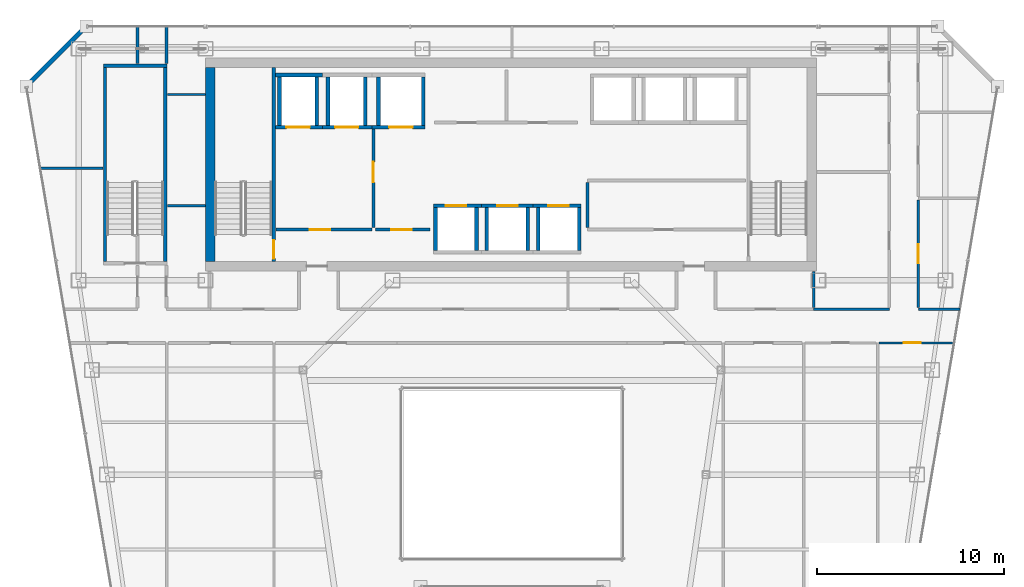
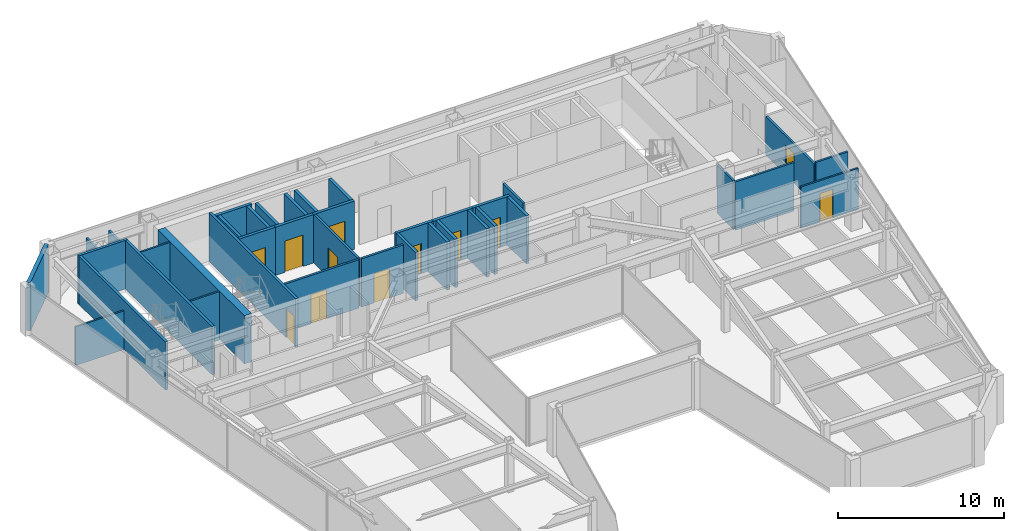
# One storey, part 31 of 36: 39 walls, 12 doors, 12 openings.
"""IFC4 building model written with IfcOpenShell, lengths in metres."""

import ifcopenshell
import ifcopenshell.guid

model = None  # the IFC model being written
_history = None  # IfcOwnerHistory: only IFC2X3 demands one
_inside = {}  # id of a spatial element -> (the spatial element, [elements in it])
_under = {}  # id of a project, library or spatial element -> (it, [spatial elements below it])
_declared = {}  # id of a project -> (the project, [libraries it declares])
_typed = {}  # id of a type object -> (the type object, [elements of that type])
_made_of = {}  # id of a material, layer set ... -> (it, [elements and type objects made of it])


def new_model(schema):
    """Start an empty IFC model of exactly this schema.

    Asked for "IFC4X3", IfcOpenShell would pick the latest addendum, in which some entities
    have other attributes; the version numbers below select the first issue.
    IFC2X3 requires an IfcOwnerHistory on every rooted entity: one is made here for all.
    """
    global model, _history
    if schema == "IFC4X3":
        model = ifcopenshell.file(schema_version=(4, 3, 0, 0))
    else:
        model = ifcopenshell.file(schema=schema)
    _inside.clear()
    _under.clear()
    _declared.clear()
    _typed.clear()
    _made_of.clear()
    _history = None
    if model.schema == "IFC2X3":
        org = make("IfcOrganization", Name="unknown")
        user = make(
            "IfcPersonAndOrganization",
            ThePerson=make("IfcPerson", FamilyName="unknown"),
            TheOrganization=org,
        )
        app = make(
            "IfcApplication",
            ApplicationDeveloper=org,
            Version="unknown",
            ApplicationFullName="unknown",
            ApplicationIdentifier="unknown",
        )
        _history = make(
            "IfcOwnerHistory",
            OwningUser=user,
            OwningApplication=app,
            ChangeAction="ADDED",
            CreationDate=0,
        )
    return model


def make(cls, **values):
    """One entity of the class cls with the attributes given. An attribute that is None is left unset."""
    return model.create_entity(
        cls, **{name: value for name, value in values.items() if value is not None}
    )


def rooted(cls, **values):
    """An entity with a GlobalId (a new one), such as an element, a storey or a relation."""
    return make(cls, GlobalId=ifcopenshell.guid.new(), OwnerHistory=_history, **values)


def si_unit(unit_type, name, prefix=None):
    """IfcSIUnit, for example si_unit("LENGTHUNIT", "METRE", prefix="MILLI")."""
    return make("IfcSIUnit", UnitType=unit_type, Prefix=prefix, Name=name)


def assignment(units):
    """IfcUnitAssignment: the units of a project."""
    return None if units is None else make("IfcUnitAssignment", Units=units)


def point(xyz):
    """IfcCartesianPoint."""
    return None if xyz is None else make("IfcCartesianPoint", Coordinates=xyz)


def direction(xyz):
    """IfcDirection."""
    return None if xyz is None else make("IfcDirection", DirectionRatios=xyz)


def frame(location, z_axis=None, x_axis=None):
    """IfcAxis2Placement3D, a coordinate frame: its origin and axes. An axis left out is left unset."""
    return make(
        "IfcAxis2Placement3D",
        Location=point(location),
        Axis=direction(z_axis),
        RefDirection=direction(x_axis),
    )


def frame_2d(location, x_axis=None):
    """IfcAxis2Placement2D, a coordinate frame in the plane: its origin and x axis."""
    return make(
        "IfcAxis2Placement2D", Location=point(location), RefDirection=direction(x_axis)
    )


def origin():
    """The frame at (0, 0, 0) with its axes left unset."""
    return frame((0.0, 0.0, 0.0))


def place(relative_to, where):
    """IfcLocalPlacement: puts the frame where relative to a parent placement (None: the world)."""
    return make(
        "IfcLocalPlacement", PlacementRelTo=relative_to, RelativePlacement=where
    )


def context(
    kind, dimensions, precision=None, world=None, true_north=None, identifier=None
):
    """IfcGeometricRepresentationContext, for example the 3D "Model" context."""
    return make(
        "IfcGeometricRepresentationContext",
        ContextIdentifier=identifier,
        ContextType=kind,
        CoordinateSpaceDimension=dimensions,
        Precision=precision,
        WorldCoordinateSystem=world,
        TrueNorth=true_north,
    )


def subcontext(parent, identifier, kind, view, scale=None):
    """IfcGeometricRepresentationSubContext, for example "Body" below "Model"."""
    return make(
        "IfcGeometricRepresentationSubContext",
        ContextIdentifier=identifier,
        ContextType=kind,
        ParentContext=parent,
        TargetScale=scale,
        TargetView=view,
    )


def project(units=None, contexts=None):
    """IfcProject with its units and contexts."""
    return rooted(
        "IfcProject",
        Name="project",
        RepresentationContexts=contexts,
        UnitsInContext=assignment(units),
    )


def spatial(cls, under=None, at=None, **own):
    """A site, building, storey or space (cls), placed at a placement, below another one or the project."""
    s = rooted(cls, ObjectPlacement=at, **own)
    if under is not None:
        _under.setdefault(under.id(), (under, []))[1].append(s)
    return s


def profile(cls, at=None, kind="AREA", **sizes):
    """A parametric profile (cls). Its sizes go by their IFC names, for example OverallWidth=200.0."""
    return make(cls, ProfileType=kind, Position=at, **sizes)


def rectangle(**sizes):
    """IfcRectangleProfileDef."""
    return profile("IfcRectangleProfileDef", **sizes)


def extrude(swept, where, along, depth):
    """IfcExtrudedAreaSolid: the profile swept, set in the frame where, extruded along a direction by depth."""
    return make(
        "IfcExtrudedAreaSolid",
        SweptArea=swept,
        Position=where,
        ExtrudedDirection=direction(along),
        Depth=depth,
    )


def shape(context_of_items, identifier, shape_type, items):
    """IfcShapeRepresentation: the items that make up one representation, for example the "Body"."""
    return make(
        "IfcShapeRepresentation",
        ContextOfItems=context_of_items,
        RepresentationIdentifier=identifier,
        RepresentationType=shape_type,
        Items=items,
    )


def material(Name=None, Category=None):
    """IfcMaterial."""
    return make("IfcMaterial", Name=Name, Category=Category)


def layer(
    of_material, thickness, ventilated=None, Name=None, Category=None, Priority=None
):
    """IfcMaterialLayer: one layer of a wall or slab, of a material (None: an air gap)."""
    return make(
        "IfcMaterialLayer",
        Material=of_material,
        LayerThickness=thickness,
        IsVentilated=ventilated,
        Name=Name,
        Category=Category,
        Priority=Priority,
    )


def layer_set(layers, Name=None):
    """IfcMaterialLayerSet."""
    return make("IfcMaterialLayerSet", MaterialLayers=layers, LayerSetName=Name)


def made_of(thing, what):
    """Note that an element or type object is made of a material, layer set ...; save() writes the relation."""
    if what is not None:
        _made_of.setdefault(what.id(), (what, []))[1].append(thing)
    return thing


def type_object(cls, material=None, **own):
    """A type object (cls), such as IfcWallType, which elements share."""
    return made_of(rooted(cls, **own), material)


def element(
    cls,
    number,
    at=None,
    inside=None,
    cuts=None,
    type_object=None,
    material=None,
    context=None,
    identifier="Body",
    shape_type=None,
    held_by="IfcProductDefinitionShape",
    body=None,
    shapes=None,
    **own,
):
    """One element of the class cls, such as IfcWall. Its Tag is "e" and its number.

    at: its placement. inside: the storey or other place that contains it. cuts: it is an
    opening in that element (IfcRelVoidsElement). A single representation is given by context,
    identifier, shape_type and body (its items); several are given by shapes. held_by: the class
    of the entity that holds the representations. save() writes the other relations.
    """
    e = rooted(cls, Tag="e%d" % number, ObjectPlacement=at, **own)
    if body is not None:
        shapes = [shape(context, identifier, shape_type, body)]
    if shapes is not None:
        e.Representation = make(held_by, Representations=shapes)
    if inside is not None:
        _inside.setdefault(inside.id(), (inside, []))[1].append(e)
    if cuts is not None:
        rooted(
            "IfcRelVoidsElement", RelatingBuildingElement=cuts, RelatedOpeningElement=e
        )
    if type_object is not None:
        _typed.setdefault(type_object.id(), (type_object, []))[1].append(e)
    return made_of(e, material)


def fill(opening, filler):
    """IfcRelFillsElement: the door or window that sits in an opening."""
    return rooted(
        "IfcRelFillsElement",
        RelatingOpeningElement=opening,
        RelatedBuildingElement=filler,
    )


def aggregate(whole, parts):
    """IfcRelAggregates: a whole, such as a stair, and the parts it consists of."""
    return rooted("IfcRelAggregates", RelatingObject=whole, RelatedObjects=parts)


def save(model, path):
    """Write the relations noted so far, then the file.

    IfcRelAggregates (storeys below a building ...), IfcRelContainedInSpatialStructure (elements
    in a storey), IfcRelDefinesByType, IfcRelAssociatesMaterial and IfcRelDeclares: one each for
    every whole, place, type object, material and project.
    """
    for whole, parts in _under.values():
        aggregate(whole, parts)
    for where, things in _inside.values():
        rooted(
            "IfcRelContainedInSpatialStructure",
            RelatedElements=things,
            RelatingStructure=where,
        )
    for kind, things in _typed.values():
        rooted("IfcRelDefinesByType", RelatedObjects=things, RelatingType=kind)
    for what, things in _made_of.values():
        rooted("IfcRelAssociatesMaterial", RelatedObjects=things, RelatingMaterial=what)
    for by, libraries in _declared.values():
        rooted("IfcRelDeclares", RelatingContext=by, RelatedDefinitions=libraries)
    model.write(path)


model = new_model("IFC4")

# Units and contexts
model_context = context("Model", 3, precision=1e-05, world=origin(), true_north=direction((0.0, 1.0)))
body_context = subcontext(model_context, "Body", "Model", "MODEL_VIEW")
ifc_project = project(units=[si_unit("LENGTHUNIT", "METRE"), si_unit("AREAUNIT", "SQUARE_METRE"), si_unit("VOLUMEUNIT", "CUBIC_METRE"), si_unit("PLANEANGLEUNIT", "RADIAN"), si_unit("MASSUNIT", "GRAM", prefix="KILO")], contexts=[model_context])

# Site, building, storey
site_placement = place(None, origin())
site = spatial("IfcSite", under=ifc_project, at=site_placement, CompositionType="ELEMENT")
building_placement = place(site_placement, origin())
building = spatial("IfcBuilding", under=site, at=building_placement, Name="Saevonmaru Cultural Tower", CompositionType="ELEMENT")
storey_placement = place(building_placement, frame((0.0, 0.0, 209.39990234375)))
storey = spatial("IfcBuildingStorey", under=building, at=storey_placement, Name="L48", CompositionType="ELEMENT", Elevation=209.39990234375)

# Wall
ifc_material_1 = material(Name="Concrete C60/75", Category="concrete")
ifc_layer_1 = layer(ifc_material_1, 0.5, Name="Concrete C60/75")
ifc_layer_set_1 = layer_set([ifc_layer_1], Name="Concrete C60/75")
wall_type_1 = type_object("IfcWallType", Name="WL-CORE-500", PredefinedType="SHEAR", material=ifc_layer_set_1)
wall_1_placement = place(storey_placement, frame((13.85009765625, 43.39990234375, 0.0), z_axis=(0.0, 0.0, 1.0), x_axis=(0.0, 1.0, 0.0)))
element("IfcWall", 1, at=wall_1_placement, inside=storey, type_object=wall_type_1, Name="L48 Tower RC core shear wall W", PredefinedType="SHEAR", context=body_context, shape_type="SweptSolid", body=[
    extrude(rectangle(XDim=10.400146484375, YDim=0.5, at=frame_2d((5.2001953125, 0.0))), origin(), (0.0, 0.0, 1.0), 3.550048828125),
])

# Wall, opening, door
ifc_material_2 = material(Name="Gypsum Fireboard Partition", Category="gypsum")
ifc_layer_2 = layer(ifc_material_2, 0.14990234375, Name="Gypsum Fireboard Partition")
ifc_layer_set_2 = layer_set([ifc_layer_2], Name="Gypsum Fireboard Partition")
wall_type_2 = type_object("IfcWallType", Name="WL-CORE-PART-150", PredefinedType="PARTITIONING", material=ifc_layer_set_2)
wall_2_placement = place(storey_placement, frame((17.360107421875, 45.1201171875, 0.0), z_axis=(0.0, 0.0, 1.0), x_axis=(1.0, 0.0, 0.0)))
wall_2 = element("IfcWall", 2, at=wall_2_placement, inside=storey, type_object=wall_type_2, Name="L48 Firefighting Lift Lobby South Wall", PredefinedType="PARTITIONING", context=body_context, shape_type="SweptSolid", body=[
    extrude(rectangle(XDim=5.139892578125, YDim=0.14990234375, at=frame_2d((2.56982421875, 0.0))), origin(), (0.0, 0.0, 1.0), 3.550048828125),
])
opening_1_placement = place(wall_2_placement, frame((1.800048828125, 0.0, 0.0)))
opening_1 = element("IfcOpeningElement", 3, at=opening_1_placement, cuts=wall_2, Name="Opening FD-2", PredefinedType="OPENING", context=body_context, shape_type="SweptSolid", body=[
    extrude(rectangle(XDim=1.10009765625, YDim=2.14990234375, at=frame_2d((0.550048828125, 1.074951171875))), frame((0.0, 0.0849609375, 0.0), z_axis=(0.0, -1.0, 0.0), x_axis=(1.0, 0.0, 0.0)), (0.0, 0.0, 1.0), 0.169921875),
])
ifc_material_3 = material(Name="Satin Bronze Anodised Aluminium", Category="aluminium")
door_type_1 = type_object("IfcDoorType", Name="DR-FD60-1100", OperationType="SINGLE_SWING_LEFT", PredefinedType="DOOR", material=ifc_material_3)
door_1_placement = place(opening_1_placement, origin())
door_1 = element("IfcDoor", 4, at=door_1_placement, inside=storey, type_object=door_type_1, Name="L48 Firefighting Lift Lobby South Door", OperationType="SINGLE_SWING_LEFT", OverallHeight=2.14990234375, OverallWidth=1.10009765625, PredefinedType="DOOR", context=body_context, shape_type="SweptSolid", body=[
    extrude(rectangle(XDim=1.10009765625, YDim=2.14990234375, at=frame_2d((0.550048828125, 1.074951171875))), frame((0.0, 0.02490234375, 0.0), z_axis=(0.0, -1.0, 0.0), x_axis=(1.0, 0.0, 0.0)), (0.0, 0.0, 1.0), 0.050048828125),
])
fill(opening_1, door_1)

wall_3_placement = place(storey_placement, frame((22.580078125, 50.550048828125, 0.0), z_axis=(0.0, 0.0, 1.0), x_axis=(0.0, -1.0, 0.0)))
wall_3 = element("IfcWall", 5, at=wall_3_placement, inside=storey, type_object=wall_type_2, Name="L48 Firefighting Lift Lobby East Wall", PredefinedType="PARTITIONING", context=body_context, shape_type="SweptSolid", body=[
    extrude(rectangle(XDim=5.330078125, YDim=0.14990234375, at=frame_2d((2.6650390625, 0.0))), origin(), (0.0, 0.0, 1.0), 3.550048828125),
])
opening_2_placement = place(wall_3_placement, frame((1.800048828125, 0.0, 0.0)))
opening_2 = element("IfcOpeningElement", 6, at=opening_2_placement, cuts=wall_3, Name="Opening FD-2", PredefinedType="OPENING", context=body_context, shape_type="SweptSolid", body=[
    extrude(rectangle(XDim=1.10009765625, YDim=2.14990234375, at=frame_2d((0.550048828125, 1.074951171875))), frame((0.0, 0.0849609375, 0.0), z_axis=(0.0, -1.0, 0.0), x_axis=(1.0, 0.0, 0.0)), (0.0, 0.0, 1.0), 0.169921875),
])
door_2_placement = place(opening_2_placement, origin())
door_2 = element("IfcDoor", 7, at=door_2_placement, inside=storey, type_object=door_type_1, Name="L48 Firefighting Lift Lobby East Door", OperationType="SINGLE_SWING_LEFT", OverallHeight=2.14990234375, OverallWidth=1.10009765625, PredefinedType="DOOR", context=body_context, shape_type="SweptSolid", body=[
    extrude(rectangle(XDim=1.10009765625, YDim=2.14990234375, at=frame_2d((0.550048828125, 1.074951171875))), frame((0.0, 0.02490234375, 0.0), z_axis=(0.0, -1.0, 0.0), x_axis=(1.0, 0.0, 0.0)), (0.0, 0.0, 1.0), 0.050048828125),
])
fill(opening_2, door_2)

wall_4_placement = place(storey_placement, frame((22.679931640625, 45.1201171875, 0.0), z_axis=(0.0, 0.0, 1.0), x_axis=(1.0, 0.0, 0.0)))
wall_4 = element("IfcWall", 8, at=wall_4_placement, inside=storey, type_object=wall_type_2, Name="L48 Service Lift Vestibule Wall", PredefinedType="PARTITIONING", context=body_context, shape_type="SweptSolid", body=[
    extrude(rectangle(XDim=2.920166015625, YDim=0.14990234375, at=frame_2d((1.4599609375, 0.0))), origin(), (0.0, 0.0, 1.0), 3.550048828125),
])
opening_3_placement = place(wall_4_placement, frame((0.85009765625, 0.0, 0.0)))
opening_3 = element("IfcOpeningElement", 9, at=opening_3_placement, cuts=wall_4, Name="Opening FD-2", PredefinedType="OPENING", context=body_context, shape_type="SweptSolid", body=[
    extrude(rectangle(XDim=1.10009765625, YDim=2.14990234375, at=frame_2d((0.550048828125, 1.074951171875))), frame((0.0, 0.0849609375, 0.0), z_axis=(0.0, -1.0, 0.0), x_axis=(1.0, 0.0, 0.0)), (0.0, 0.0, 1.0), 0.169921875),
])
door_3_placement = place(opening_3_placement, origin())
door_3 = element("IfcDoor", 10, at=door_3_placement, inside=storey, type_object=door_type_1, Name="L48 Service Lift Vestibule Door", OperationType="SINGLE_SWING_LEFT", OverallHeight=2.14990234375, OverallWidth=1.10009765625, PredefinedType="DOOR", context=body_context, shape_type="SweptSolid", body=[
    extrude(rectangle(XDim=1.10009765625, YDim=2.14990234375, at=frame_2d((0.550048828125, 1.074951171875))), frame((0.0, 0.02490234375, 0.0), z_axis=(0.0, -1.0, 0.0), x_axis=(1.0, 0.0, 0.0)), (0.0, 0.0, 1.0), 0.050048828125),
])
fill(opening_3, door_3)

# Walls
wall_5_placement = place(storey_placement, frame((34.050048828125, 45.219970703125, 0.0), z_axis=(0.0, 0.0, 1.0), x_axis=(0.0, 1.0, 0.0)))
element("IfcWall", 11, at=wall_5_placement, inside=storey, type_object=wall_type_2, Name="L48 Core Service West Wall", PredefinedType="PARTITIONING", context=body_context, shape_type="SweptSolid", body=[
    extrude(rectangle(XDim=2.429931640625, YDim=0.14990234375, at=frame_2d((1.21484375, 0.0))), origin(), (0.0, 0.0, 1.0), 3.550048828125),
])
ifc_material_4 = material(Name="Granite-Clad Precast Concrete C40/50", Category="masonry")
ifc_layer_3 = layer(ifc_material_4, 0.260009765625, Name="Granite-Clad Precast Concrete C40/50")
ifc_layer_set_3 = layer_set([ifc_layer_3], Name="Granite-Clad Precast Concrete C40/50")
wall_type_3 = type_object("IfcWallType", Name="WL-EXT-SPANDREL-260", PredefinedType="STANDARD", material=ifc_layer_set_3)
wall_6_placement = place(storey_placement, frame((7.0869140625, 55.886962890625, 0.0), z_axis=(0.0, 0.0, 1.0), x_axis=(-0.707106781187, -0.707106781187, 0.0)))
element("IfcWall", 12, at=wall_6_placement, inside=storey, type_object=wall_type_3, Name="L48 Chamfer Corner Spandrel Wall E11", PredefinedType="STANDARD", context=body_context, shape_type="SweptSolid", body=[
    extrude(rectangle(XDim=4.205810546875, YDim=0.260009765625, at=frame_2d((2.10302734375, 0.0))), origin(), (0.0, 0.0, 1.0), 3.550048828125),
])
ifc_layer_4 = layer(ifc_material_2, 0.14990234375, Name="Gypsum Fireboard Partition")
ifc_layer_set_4 = layer_set([ifc_layer_4], Name="Gypsum Fireboard Partition")
wall_type_4 = type_object("IfcWallType", Name="WL-PART-FIRE-150", PredefinedType="PARTITIONING", material=ifc_layer_set_4)
for number, where, z_axis, x_axis, name in (
    (13, (11.5, 54.0, 0.0), (0.0, 0.0, 1.0), (0.0, 1.0, 0.0), "L48 Kinetic Art Exhibition Gallery Corridor Wall"),
    (14, (9.949951171875, 54.0, 0.0), (0.0, 0.0, 1.0), (0.0, 1.0, 0.0), "L48 Contemporary Photography Gallery Corridor Wall"),
):
    element("IfcWall", number, at=place(storey_placement, frame(where, z_axis=z_axis, x_axis=x_axis)), inside=storey, type_object=wall_type_4, Name=name, PredefinedType="PARTITIONING", context=body_context, shape_type="SweptSolid", body=[
        extrude(rectangle(XDim=1.9951171875, YDim=0.14990234375, at=frame_2d((0.99755859375, 0.0))), origin(), (0.0, 0.0, 1.0), 2.93505859375),
    ])

# Wall, opening, door
wall_7_placement = place(storey_placement, frame((51.75, 40.9375, 0.0), z_axis=(0.0, 0.0, 1.0), x_axis=(0.0, 1.0, 0.0)))
wall_7 = element("IfcWall", 15, at=wall_7_placement, inside=storey, type_object=wall_type_4, Name="L48 Chamber Rehearsal Auditorium Corridor Wall", PredefinedType="PARTITIONING", context=body_context, shape_type="SweptSolid", body=[
    extrude(rectangle(XDim=5.77490234375, YDim=0.14990234375, at=frame_2d((2.887451171875, 0.0))), origin(), (0.0, 0.0, 1.0), 2.835205078125),
])
opening_4_placement = place(wall_7_placement, frame((2.386962890625, 0.0, 0.0)))
opening_4 = element("IfcOpeningElement", 16, at=opening_4_placement, cuts=wall_7, Name="Opening ID-1B", PredefinedType="OPENING", context=body_context, shape_type="SweptSolid", body=[
    extrude(rectangle(XDim=1.0, YDim=2.14990234375, at=frame_2d((0.5, 1.074951171875))), frame((0.0, 0.0849609375, 0.0), z_axis=(0.0, -1.0, 0.0), x_axis=(1.0, 0.0, 0.0)), (0.0, 0.0, 1.0), 0.169921875),
])
ifc_material_5 = material(Name="Acoustic Stained Oak Timber", Category="wood")
door_type_2 = type_object("IfcDoorType", Name="DR-INT-1000", OperationType="SINGLE_SWING_RIGHT", PredefinedType="DOOR", material=ifc_material_5)
door_4_placement = place(opening_4_placement, origin())
door_4 = element("IfcDoor", 17, at=door_4_placement, inside=storey, type_object=door_type_2, Name="L48 Chamber Rehearsal Auditorium Door", OperationType="SINGLE_SWING_LEFT", OverallHeight=2.14990234375, OverallWidth=1.0, PredefinedType="DOOR", context=body_context, shape_type="SweptSolid", body=[
    extrude(rectangle(XDim=1.0, YDim=2.14990234375, at=frame_2d((0.5, 1.074951171875))), frame((0.0, 0.02490234375, 0.0), z_axis=(0.0, -1.0, 0.0), x_axis=(1.0, 0.0, 0.0)), (0.0, 0.0, 1.0), 0.050048828125),
])
fill(opening_4, door_4)

# Walls
ifc_layer_5 = layer(ifc_material_2, 0.1201171875, Name="Gypsum Fireboard Partition")
ifc_layer_set_5 = layer_set([ifc_layer_5], Name="Gypsum Fireboard Partition")
wall_type_5 = type_object("IfcWallType", Name="WL-PART-GYP-120", PredefinedType="PARTITIONING", material=ifc_layer_set_5)
wall_8_placement = place(storey_placement, frame((11.550048828125, 52.35009765625, 0.0), z_axis=(0.0, 0.0, 1.0), x_axis=(1.0, 0.0, 0.0)))
element("IfcWall", 18, at=wall_8_placement, inside=storey, type_object=wall_type_5, Name="L48 North-West Panorama South Wall", PredefinedType="PARTITIONING", context=body_context, shape_type="SweptSolid", body=[
    extrude(rectangle(XDim=2.030029296875, YDim=0.1201171875, at=frame_2d((1.01513671875, 0.0))), origin(), (0.0, 0.0, 1.0), 3.550048828125),
])
wall_9_placement = place(storey_placement, frame((4.75, 48.39990234375, 0.0), z_axis=(0.0, 0.0, 1.0), x_axis=(1.0, 0.0, 0.0)))
element("IfcWall", 19, at=wall_9_placement, inside=storey, type_object=wall_type_5, Name="L48 NW Studio Divider 1", PredefinedType="PARTITIONING", context=body_context, shape_type="SweptSolid", body=[
    extrude(rectangle(XDim=3.35009765625, YDim=0.1201171875, at=frame_2d((1.675048828125, 0.0))), origin(), (0.0, 0.0, 1.0), 2.835205078125),
])
wall_10_placement = place(storey_placement, frame((11.550048828125, 46.39990234375, 0.0), z_axis=(0.0, 0.0, 1.0), x_axis=(1.0, 0.0, 0.0)))
element("IfcWall", 20, at=wall_10_placement, inside=storey, type_object=wall_type_5, Name="L48 NW Inner Divider", PredefinedType="PARTITIONING", context=body_context, shape_type="SweptSolid", body=[
    extrude(rectangle(XDim=2.030029296875, YDim=0.1201171875, at=frame_2d((1.01513671875, 0.0))), origin(), (0.0, 0.0, 1.0), 3.550048828125),
])

# Wall, opening, door
wall_11_placement = place(storey_placement, frame((49.657470703125, 39.050048828125, 0.0), z_axis=(0.0, 0.0, 1.0), x_axis=(1.0, 0.0, 0.0)))
wall_11 = element("IfcWall", 21, at=wall_11_placement, inside=storey, type_object=wall_type_5, Name="L48 Calligraphy Teaching Studio Corridor Wall", PredefinedType="PARTITIONING", context=body_context, shape_type="SweptSolid", body=[
    extrude(rectangle(XDim=3.994140625, YDim=0.1201171875, at=frame_2d((1.9970703125, 0.0))), origin(), (0.0, 0.0, 1.0), 3.03515625),
])
opening_5_placement = place(wall_11_placement, frame((1.326904296875, 0.0, 0.0)))
opening_5 = element("IfcOpeningElement", 22, at=opening_5_placement, cuts=wall_11, Name="Opening ID-2", PredefinedType="OPENING", context=body_context, shape_type="SweptSolid", body=[
    extrude(rectangle(XDim=0.89990234375, YDim=2.10009765625, at=frame_2d((0.449951171875, 1.050048828125))), frame((0.0, 0.070068359375, 0.0), z_axis=(0.0, -1.0, 0.0), x_axis=(1.0, 0.0, 0.0)), (0.0, 0.0, 1.0), 0.14013671875),
])
door_type_3 = type_object("IfcDoorType", Name="DR-INT-900", OperationType="SINGLE_SWING_RIGHT", PredefinedType="DOOR", material=ifc_material_5)
door_5_placement = place(opening_5_placement, origin())
door_5 = element("IfcDoor", 23, at=door_5_placement, inside=storey, type_object=door_type_3, Name="L48 Calligraphy Teaching Studio Door", OperationType="SINGLE_SWING_RIGHT", OverallHeight=2.10009765625, OverallWidth=0.89990234375, PredefinedType="DOOR", context=body_context, shape_type="SweptSolid", body=[
    extrude(rectangle(XDim=0.89990234375, YDim=2.10009765625, at=frame_2d((0.449951171875, 1.050048828125))), frame((0.0, 0.02490234375, 0.0), z_axis=(0.0, -1.0, 0.0), x_axis=(1.0, 0.0, 0.0)), (0.0, 0.0, 1.0), 0.050048828125),
])
fill(opening_5, door_5)

# Walls
ifc_layer_6 = layer(ifc_material_2, 0.135009765625, Name="Gypsum Fireboard Partition")
ifc_layer_set_6 = layer_set([ifc_layer_6], Name="Gypsum Fireboard Partition")
wall_type_6 = type_object("IfcWallType", Name="WL-PART-GYP-135", PredefinedType="PARTITIONING", material=ifc_layer_set_6)
wall_12_placement = place(storey_placement, frame((51.75, 40.85009765625, 0.0), z_axis=(0.0, 0.0, 1.0), x_axis=(1.0, 0.0, 0.0)))
element("IfcWall", 24, at=wall_12_placement, inside=storey, type_object=wall_type_6, Name="L48 NE Wing South Wall", PredefinedType="PARTITIONING", context=body_context, shape_type="SweptSolid", body=[
    extrude(rectangle(XDim=2.2216796875, YDim=0.135009765625, at=frame_2d((1.11083984375, 0.0))), origin(), (0.0, 0.0, 1.0), 3.03515625),
])
ifc_layer_7 = layer(ifc_material_2, 0.139892578125, Name="Gypsum Fireboard Partition")
ifc_layer_set_7 = layer_set([ifc_layer_7], Name="Gypsum Fireboard Partition")
wall_type_7 = type_object("IfcWallType", Name="WL-PART-WET-140", PredefinedType="PARTITIONING", material=ifc_layer_set_7)
wall_13_placement = place(storey_placement, frame((46.14990234375, 40.85009765625, 0.0), z_axis=(0.0, 0.0, 1.0), x_axis=(1.0, 0.0, 0.0)))
element("IfcWall", 25, at=wall_13_placement, inside=storey, type_object=wall_type_7, Name="L48 Washroom South Wall", PredefinedType="PARTITIONING", context=body_context, shape_type="SweptSolid", body=[
    extrude(rectangle(XDim=4.050048828125, YDim=0.139892578125, at=frame_2d((2.02490234375, 0.0))), origin(), (0.0, 0.0, 1.0), 3.550048828125),
])
wall_14_placement = place(storey_placement, frame((46.14990234375, 40.93994140625, 0.0), z_axis=(0.0, 0.0, 1.0), x_axis=(0.0, 1.0, 0.0)))
element("IfcWall", 26, at=wall_14_placement, inside=storey, type_object=wall_type_7, Name="L48 Washroom South-West Return", PredefinedType="PARTITIONING", context=body_context, shape_type="SweptSolid", body=[
    extrude(rectangle(XDim=1.93994140625, YDim=0.139892578125, at=frame_2d((0.969970703125, 0.0))), origin(), (0.0, 0.0, 1.0), 3.550048828125),
])

# Wall, opening, door
ifc_material_6 = material(Name="Concrete C40/50", Category="concrete")
ifc_layer_8 = layer(ifc_material_6, 0.199951171875, Name="Concrete C40/50")
ifc_layer_set_8 = layer_set([ifc_layer_8], Name="Concrete C40/50")
wall_type_8 = type_object("IfcWallType", Name="WL-SHAFT-200", PredefinedType="SHEAR", material=ifc_layer_set_8)
wall_15_placement = place(storey_placement, frame((17.330078125, 50.60009765625, 0.0), z_axis=(0.0, 0.0, 1.0), x_axis=(1.0, 0.0, 0.0)))
wall_15 = element("IfcWall", 27, at=wall_15_placement, inside=storey, type_object=wall_type_8, Name="L48 Lift FFL-1 Hoistway Wall S", PredefinedType="SHEAR", context=body_context, shape_type="SweptSolid", body=[
    extrude(rectangle(XDim=2.52001953125, YDim=0.199951171875, at=frame_2d((1.260009765625, 0.0))), origin(), (0.0, 0.0, 1.0), 3.550048828125),
])
opening_6_placement = place(wall_15_placement, frame((0.594970703125, 0.0, 0.0)))
opening_6 = element("IfcOpeningElement", 28, at=opening_6_placement, cuts=wall_15, Name="Opening LD-2", PredefinedType="OPENING", context=body_context, shape_type="SweptSolid", body=[
    extrude(rectangle(XDim=1.25, YDim=2.300048828125, at=frame_2d((0.625, 1.14990234375))), frame((0.0, 0.10986328125, 0.0), z_axis=(0.0, -1.0, 0.0), x_axis=(1.0, 0.0, 0.0)), (0.0, 0.0, 1.0), 0.219970703125),
])
ifc_material_7 = material(Name="Stainless Steel 316", Category="steel")
door_type_4 = type_object("IfcDoorType", Name="DR-LIFT-1250", OperationType="SLIDING_TO_LEFT", PredefinedType="DOOR", material=ifc_material_7)
door_6_placement = place(opening_6_placement, origin())
door_6 = element("IfcDoor", 29, at=door_6_placement, inside=storey, type_object=door_type_4, Name="L48 Lift FFL-1 Sliding Landing Door", OperationType="SLIDING_TO_LEFT", OverallHeight=2.300048828125, OverallWidth=1.25, PredefinedType="DOOR", context=body_context, shape_type="SweptSolid", body=[
    extrude(rectangle(XDim=1.25, YDim=2.300048828125, at=frame_2d((0.625, 1.14990234375))), frame((0.0, 0.02490234375, 0.0), z_axis=(0.0, -1.0, 0.0), x_axis=(1.0, 0.0, 0.0)), (0.0, 0.0, 1.0), 0.050048828125),
])
fill(opening_6, door_6)

# Walls
wall_16_placement = place(storey_placement, frame((17.330078125, 53.39990234375, 0.0), z_axis=(0.0, 0.0, 1.0), x_axis=(1.0, 0.0, 0.0)))
element("IfcWall", 30, at=wall_16_placement, inside=storey, type_object=wall_type_8, Name="L48 Lift FFL-1 Hoistway Wall N", PredefinedType="SHEAR", context=body_context, shape_type="SweptSolid", body=[
    extrude(rectangle(XDim=2.52001953125, YDim=0.199951171875, at=frame_2d((1.260009765625, 0.0))), origin(), (0.0, 0.0, 1.0), 3.550048828125),
])
for number, where, z_axis, x_axis, name in (
    (31, (17.550048828125, 50.699951171875, 0.0), (0.0, 0.0, 1.0), (0.0, 1.0, 0.0), "L48 Lift FFL-1 Hoistway Wall W"),
    (32, (19.550048828125, 50.699951171875, 0.0), (0.0, 0.0, 1.0), (0.0, 1.0, 0.0), "L48 Lift FFL-1 Hoistway Wall E"),
):
    element("IfcWall", number, at=place(storey_placement, frame(where, z_axis=z_axis, x_axis=x_axis)), inside=storey, type_object=wall_type_8, Name=name, PredefinedType="SHEAR", context=body_context, shape_type="SweptSolid", body=[
        extrude(rectangle(XDim=2.60009765625, YDim=0.199951171875, at=frame_2d((1.300048828125, 0.0))), origin(), (0.0, 0.0, 1.0), 3.550048828125),
    ])

# Wall, opening, door
wall_17_placement = place(storey_placement, frame((19.85009765625, 50.60009765625, 0.0), z_axis=(0.0, 0.0, 1.0), x_axis=(1.0, 0.0, 0.0)))
wall_17 = element("IfcWall", 33, at=wall_17_placement, inside=storey, type_object=wall_type_8, Name="L48 Lift FFL-2 Hoistway Wall S", PredefinedType="SHEAR", context=body_context, shape_type="SweptSolid", body=[
    extrude(rectangle(XDim=2.64990234375, YDim=0.199951171875, at=frame_2d((1.324951171875, 0.0))), origin(), (0.0, 0.0, 1.0), 3.550048828125),
])
opening_7_placement = place(wall_17_placement, frame((0.675048828125, 0.0, 0.0)))
opening_7 = element("IfcOpeningElement", 34, at=opening_7_placement, cuts=wall_17, Name="Opening LD-2", PredefinedType="OPENING", context=body_context, shape_type="SweptSolid", body=[
    extrude(rectangle(XDim=1.25, YDim=2.300048828125, at=frame_2d((0.625, 1.14990234375))), frame((0.0, 0.10986328125, 0.0), z_axis=(0.0, -1.0, 0.0), x_axis=(1.0, 0.0, 0.0)), (0.0, 0.0, 1.0), 0.219970703125),
])
door_7_placement = place(opening_7_placement, origin())
door_7 = element("IfcDoor", 35, at=door_7_placement, inside=storey, type_object=door_type_4, Name="L48 Lift FFL-2 Sliding Landing Door", OperationType="SLIDING_TO_LEFT", OverallHeight=2.300048828125, OverallWidth=1.25, PredefinedType="DOOR", context=body_context, shape_type="SweptSolid", body=[
    extrude(rectangle(XDim=1.25, YDim=2.300048828125, at=frame_2d((0.625, 1.14990234375))), frame((0.0, 0.02490234375, 0.0), z_axis=(0.0, -1.0, 0.0), x_axis=(1.0, 0.0, 0.0)), (0.0, 0.0, 1.0), 0.050048828125),
])
fill(opening_7, door_7)

# Walls
for number, where, z_axis, x_axis, name in (
    (36, (20.14990234375, 50.699951171875, 0.0), (0.0, 0.0, 1.0), (0.0, 1.0, 0.0), "L48 Lift FFL-2 Hoistway Wall W"),
    (37, (22.14990234375, 50.699951171875, 0.0), (0.0, 0.0, 1.0), (0.0, 1.0, 0.0), "L48 Lift FFL-2 Hoistway Wall E"),
):
    element("IfcWall", number, at=place(storey_placement, frame(where, z_axis=z_axis, x_axis=x_axis)), inside=storey, type_object=wall_type_8, Name=name, PredefinedType="SHEAR", context=body_context, shape_type="SweptSolid", body=[
        extrude(rectangle(XDim=2.60009765625, YDim=0.199951171875, at=frame_2d((1.300048828125, 0.0))), origin(), (0.0, 0.0, 1.0), 3.550048828125),
    ])

# Wall, opening, door
wall_18_placement = place(storey_placement, frame((22.5, 50.60009765625, 0.0), z_axis=(0.0, 0.0, 1.0), x_axis=(1.0, 0.0, 0.0)))
wall_18 = element("IfcWall", 38, at=wall_18_placement, inside=storey, type_object=wall_type_8, Name="L48 Lift GL-1 Hoistway Wall S", PredefinedType="SHEAR", context=body_context, shape_type="SweptSolid", body=[
    extrude(rectangle(XDim=2.85009765625, YDim=0.199951171875, at=frame_2d((1.425048828125, 0.0))), origin(), (0.0, 0.0, 1.0), 3.550048828125),
])
opening_8_placement = place(wall_18_placement, frame((0.925048828125, 0.0, 0.0)))
opening_8 = element("IfcOpeningElement", 39, at=opening_8_placement, cuts=wall_18, Name="Opening LD-2", PredefinedType="OPENING", context=body_context, shape_type="SweptSolid", body=[
    extrude(rectangle(XDim=1.25, YDim=2.300048828125, at=frame_2d((0.625, 1.14990234375))), frame((0.0, 0.10986328125, 0.0), z_axis=(0.0, -1.0, 0.0), x_axis=(1.0, 0.0, 0.0)), (0.0, 0.0, 1.0), 0.219970703125),
])
door_8_placement = place(opening_8_placement, origin())
door_8 = element("IfcDoor", 40, at=door_8_placement, inside=storey, type_object=door_type_4, Name="L48 Lift GL-1 Sliding Landing Door", OperationType="SLIDING_TO_LEFT", OverallHeight=2.300048828125, OverallWidth=1.25, PredefinedType="DOOR", context=body_context, shape_type="SweptSolid", body=[
    extrude(rectangle(XDim=1.25, YDim=2.300048828125, at=frame_2d((0.625, 1.14990234375))), frame((0.0, 0.02490234375, 0.0), z_axis=(0.0, -1.0, 0.0), x_axis=(1.0, 0.0, 0.0)), (0.0, 0.0, 1.0), 0.050048828125),
])
fill(opening_8, door_8)

# Walls
for number, where, z_axis, x_axis, name in (
    (41, (22.85009765625, 50.699951171875, 0.0), (0.0, 0.0, 1.0), (0.0, 1.0, 0.0), "L48 Lift GL-1 Hoistway Wall W"),
    (42, (25.25, 50.699951171875, 0.0), (0.0, 0.0, 1.0), (0.0, 1.0, 0.0), "L48 Lift GL-1 Hoistway Wall E"),
):
    element("IfcWall", number, at=place(storey_placement, frame(where, z_axis=z_axis, x_axis=x_axis)), inside=storey, type_object=wall_type_8, Name=name, PredefinedType="SHEAR", context=body_context, shape_type="SweptSolid", body=[
        extrude(rectangle(XDim=2.60009765625, YDim=0.199951171875, at=frame_2d((1.300048828125, 0.0))), origin(), (0.0, 0.0, 1.0), 3.550048828125),
    ])

# Wall, opening, door
wall_19_placement = place(storey_placement, frame((25.800048828125, 46.39990234375, 0.0), z_axis=(0.0, 0.0, 1.0), x_axis=(1.0, 0.0, 0.0)))
wall_19 = element("IfcWall", 43, at=wall_19_placement, inside=storey, type_object=wall_type_8, Name="L48 Lift PL-M1 Hoistway Wall N", PredefinedType="SHEAR", context=body_context, shape_type="SweptSolid", body=[
    extrude(rectangle(XDim=2.574951171875, YDim=0.199951171875, at=frame_2d((1.28759765625, 0.0))), origin(), (0.0, 0.0, 1.0), 3.550048828125),
])
opening_9_placement = place(wall_19_placement, frame((0.64990234375, 0.0, 0.0)))
opening_9 = element("IfcOpeningElement", 44, at=opening_9_placement, cuts=wall_19, Name="Opening LD-1", PredefinedType="OPENING", context=body_context, shape_type="SweptSolid", body=[
    extrude(rectangle(XDim=1.10009765625, YDim=2.199951171875, at=frame_2d((0.550048828125, 1.10009765625))), frame((0.0, 0.10986328125, 0.0), z_axis=(0.0, -1.0, 0.0), x_axis=(1.0, 0.0, 0.0)), (0.0, 0.0, 1.0), 0.219970703125),
])
ifc_material_8 = material(Name="Satin Bronze Stainless Steel", Category="steel")
door_type_5 = type_object("IfcDoorType", Name="DR-LIFT-1100", OperationType="SLIDING_TO_LEFT", PredefinedType="DOOR", material=ifc_material_8)
door_9_placement = place(opening_9_placement, origin())
door_9 = element("IfcDoor", 45, at=door_9_placement, inside=storey, type_object=door_type_5, Name="L48 Lift PL-M1 Sliding Landing Door", OperationType="SLIDING_TO_LEFT", OverallHeight=2.199951171875, OverallWidth=1.10009765625, PredefinedType="DOOR", context=body_context, shape_type="SweptSolid", body=[
    extrude(rectangle(XDim=1.10009765625, YDim=2.199951171875, at=frame_2d((0.550048828125, 1.10009765625))), frame((0.0, 0.02490234375, 0.0), z_axis=(0.0, -1.0, 0.0), x_axis=(1.0, 0.0, 0.0)), (0.0, 0.0, 1.0), 0.050048828125),
])
fill(opening_9, door_9)

# Walls
for number, where, z_axis, x_axis, name in (
    (46, (25.89990234375, 44.0, 0.0), (0.0, 0.0, 1.0), (0.0, 1.0, 0.0), "L48 Lift PL-M1 Hoistway Wall W"),
    (47, (28.10009765625, 44.0, 0.0), (0.0, 0.0, 1.0), (0.0, 1.0, 0.0), "L48 Lift PL-M1 Hoistway Wall E"),
):
    element("IfcWall", number, at=place(storey_placement, frame(where, z_axis=z_axis, x_axis=x_axis)), inside=storey, type_object=wall_type_8, Name=name, PredefinedType="SHEAR", context=body_context, shape_type="SweptSolid", body=[
        extrude(rectangle(XDim=2.300048828125, YDim=0.199951171875, at=frame_2d((1.14990234375, 0.0))), origin(), (0.0, 0.0, 1.0), 3.550048828125),
    ])

# Wall, opening, door
wall_20_placement = place(storey_placement, frame((28.375, 46.39990234375, 0.0), z_axis=(0.0, 0.0, 1.0), x_axis=(1.0, 0.0, 0.0)))
wall_20 = element("IfcWall", 48, at=wall_20_placement, inside=storey, type_object=wall_type_8, Name="L48 Lift PL-M2 Hoistway Wall N", PredefinedType="SHEAR", context=body_context, shape_type="SweptSolid", body=[
    extrude(rectangle(XDim=2.75, YDim=0.199951171875, at=frame_2d((1.375, 0.0))), origin(), (0.0, 0.0, 1.0), 3.550048828125),
])
opening_10_placement = place(wall_20_placement, frame((0.824951171875, 0.0, 0.0)))
opening_10 = element("IfcOpeningElement", 49, at=opening_10_placement, cuts=wall_20, Name="Opening LD-1", PredefinedType="OPENING", context=body_context, shape_type="SweptSolid", body=[
    extrude(rectangle(XDim=1.10009765625, YDim=2.199951171875, at=frame_2d((0.550048828125, 1.10009765625))), frame((0.0, 0.10986328125, 0.0), z_axis=(0.0, -1.0, 0.0), x_axis=(1.0, 0.0, 0.0)), (0.0, 0.0, 1.0), 0.219970703125),
])
door_10_placement = place(opening_10_placement, origin())
door_10 = element("IfcDoor", 50, at=door_10_placement, inside=storey, type_object=door_type_5, Name="L48 Lift PL-M2 Sliding Landing Door", OperationType="SLIDING_TO_LEFT", OverallHeight=2.199951171875, OverallWidth=1.10009765625, PredefinedType="DOOR", context=body_context, shape_type="SweptSolid", body=[
    extrude(rectangle(XDim=1.10009765625, YDim=2.199951171875, at=frame_2d((0.550048828125, 1.10009765625))), frame((0.0, 0.02490234375, 0.0), z_axis=(0.0, -1.0, 0.0), x_axis=(1.0, 0.0, 0.0)), (0.0, 0.0, 1.0), 0.050048828125),
])
fill(opening_10, door_10)

# Walls
for number, where, z_axis, x_axis, name in (
    (51, (28.64990234375, 44.0, 0.0), (0.0, 0.0, 1.0), (0.0, 1.0, 0.0), "L48 Lift PL-M2 Hoistway Wall W"),
    (52, (30.85009765625, 44.0, 0.0), (0.0, 0.0, 1.0), (0.0, 1.0, 0.0), "L48 Lift PL-M2 Hoistway Wall E"),
):
    element("IfcWall", number, at=place(storey_placement, frame(where, z_axis=z_axis, x_axis=x_axis)), inside=storey, type_object=wall_type_8, Name=name, PredefinedType="SHEAR", context=body_context, shape_type="SweptSolid", body=[
        extrude(rectangle(XDim=2.300048828125, YDim=0.199951171875, at=frame_2d((1.14990234375, 0.0))), origin(), (0.0, 0.0, 1.0), 3.550048828125),
    ])

# Wall, opening, door
wall_21_placement = place(storey_placement, frame((31.125, 46.39990234375, 0.0), z_axis=(0.0, 0.0, 1.0), x_axis=(1.0, 0.0, 0.0)))
wall_21 = element("IfcWall", 53, at=wall_21_placement, inside=storey, type_object=wall_type_8, Name="L48 Lift PL-M3 Hoistway Wall N", PredefinedType="SHEAR", context=body_context, shape_type="SweptSolid", body=[
    extrude(rectangle(XDim=2.574951171875, YDim=0.199951171875, at=frame_2d((1.28759765625, 0.0))), origin(), (0.0, 0.0, 1.0), 3.550048828125),
])
opening_11_placement = place(wall_21_placement, frame((0.824951171875, 0.0, 0.0)))
opening_11 = element("IfcOpeningElement", 54, at=opening_11_placement, cuts=wall_21, Name="Opening LD-1", PredefinedType="OPENING", context=body_context, shape_type="SweptSolid", body=[
    extrude(rectangle(XDim=1.10009765625, YDim=2.199951171875, at=frame_2d((0.550048828125, 1.10009765625))), frame((0.0, 0.10986328125, 0.0), z_axis=(0.0, -1.0, 0.0), x_axis=(1.0, 0.0, 0.0)), (0.0, 0.0, 1.0), 0.219970703125),
])
door_11_placement = place(opening_11_placement, origin())
door_11 = element("IfcDoor", 55, at=door_11_placement, inside=storey, type_object=door_type_5, Name="L48 Lift PL-M3 Sliding Landing Door", OperationType="SLIDING_TO_LEFT", OverallHeight=2.199951171875, OverallWidth=1.10009765625, PredefinedType="DOOR", context=body_context, shape_type="SweptSolid", body=[
    extrude(rectangle(XDim=1.10009765625, YDim=2.199951171875, at=frame_2d((0.550048828125, 1.10009765625))), frame((0.0, 0.02490234375, 0.0), z_axis=(0.0, -1.0, 0.0), x_axis=(1.0, 0.0, 0.0)), (0.0, 0.0, 1.0), 0.050048828125),
])
fill(opening_11, door_11)

# Walls
for number, where, z_axis, x_axis, name in (
    (56, (31.39990234375, 44.0, 0.0), (0.0, 0.0, 1.0), (0.0, 1.0, 0.0), "L48 Lift PL-M3 Hoistway Wall W"),
    (57, (33.60009765625, 44.0, 0.0), (0.0, 0.0, 1.0), (0.0, 1.0, 0.0), "L48 Lift PL-M3 Hoistway Wall E"),
):
    element("IfcWall", number, at=place(storey_placement, frame(where, z_axis=z_axis, x_axis=x_axis)), inside=storey, type_object=wall_type_8, Name=name, PredefinedType="SHEAR", context=body_context, shape_type="SweptSolid", body=[
        extrude(rectangle(XDim=2.300048828125, YDim=0.199951171875, at=frame_2d((1.14990234375, 0.0))), origin(), (0.0, 0.0, 1.0), 3.550048828125),
    ])

# Wall, opening, door
ifc_layer_9 = layer(ifc_material_6, 0.179931640625, Name="Concrete C40/50")
ifc_layer_set_9 = layer_set([ifc_layer_9], Name="Concrete C40/50")
wall_type_9 = type_object("IfcWallType", Name="WL-STSHAFT-180", PredefinedType="SHEAR", material=ifc_layer_set_9)
wall_22_placement = place(storey_placement, frame((17.239990234375, 43.39990234375, 0.0), z_axis=(0.0, 0.0, 1.0), x_axis=(0.0, 1.0, 0.0)))
wall_22 = element("IfcWall", 58, at=wall_22_placement, inside=storey, type_object=wall_type_9, Name="L48 Stair ST-1 Structural Shaft Wall 1", PredefinedType="SHEAR", context=body_context, shape_type="SweptSolid", body=[
    extrude(rectangle(XDim=10.400146484375, YDim=0.179931640625, at=frame_2d((5.2001953125, 0.0))), origin(), (0.0, 0.0, 1.0), 3.550048828125),
])
opening_12_placement = place(wall_22_placement, frame((0.159912109375, 0.0, 0.0)))
opening_12 = element("IfcOpeningElement", 59, at=opening_12_placement, cuts=wall_22, Name="Opening FD-3", PredefinedType="OPENING", context=body_context, shape_type="SweptSolid", body=[
    extrude(rectangle(XDim=1.0, YDim=2.14990234375, at=frame_2d((0.5, 1.074951171875))), frame((0.0, 0.10009765625, 0.0), z_axis=(0.0, -1.0, 0.0), x_axis=(1.0, 0.0, 0.0)), (0.0, 0.0, 1.0), 0.199951171875),
])
door_type_6 = type_object("IfcDoorType", Name="DR-FD60-1000", OperationType="SINGLE_SWING_RIGHT", PredefinedType="DOOR", material=ifc_material_3)
door_12_placement = place(opening_12_placement, origin())
door_12 = element("IfcDoor", 60, at=door_12_placement, inside=storey, type_object=door_type_6, Name="L48 Protected Stair ST-1 Fire Door", OperationType="SINGLE_SWING_RIGHT", OverallHeight=2.14990234375, OverallWidth=1.0, PredefinedType="DOOR", context=body_context, shape_type="SweptSolid", body=[
    extrude(rectangle(XDim=1.0, YDim=2.14990234375, at=frame_2d((0.5, 1.074951171875))), frame((0.0, 0.02490234375, 0.0), z_axis=(0.0, -1.0, 0.0), x_axis=(1.0, 0.0, 0.0)), (0.0, 0.0, 1.0), 0.050048828125),
])
fill(opening_12, door_12)

# Walls
wall_23_placement = place(storey_placement, frame((11.43994140625, 43.39990234375, 0.0), z_axis=(0.0, 0.0, 1.0), x_axis=(0.0, 1.0, 0.0)))
element("IfcWall", 61, at=wall_23_placement, inside=storey, type_object=wall_type_9, Name="L48 Stair ST-3 Structural Shaft Wall 2", PredefinedType="SHEAR", context=body_context, shape_type="SweptSolid", body=[
    extrude(rectangle(XDim=10.400146484375, YDim=0.179931640625, at=frame_2d((5.2001953125, 0.0))), origin(), (0.0, 0.0, 1.0), 3.550048828125),
])
wall_24_placement = place(storey_placement, frame((11.530029296875, 53.889892578125, 0.0), z_axis=(0.0, 0.0, 1.0), x_axis=(-1.0, 0.0, 0.0)))
element("IfcWall", 62, at=wall_24_placement, inside=storey, type_object=wall_type_9, Name="L48 Stair ST-3 Structural Shaft Wall 3", PredefinedType="SHEAR", context=body_context, shape_type="SweptSolid", body=[
    extrude(rectangle(XDim=3.409912109375, YDim=0.179931640625, at=frame_2d((1.705078125, 0.0))), origin(), (0.0, 0.0, 1.0), 3.550048828125),
])
wall_25_placement = place(storey_placement, frame((8.2099609375, 53.800048828125, 0.0), z_axis=(0.0, 0.0, 1.0), x_axis=(0.0, -1.0, 0.0)))
element("IfcWall", 63, at=wall_25_placement, inside=storey, type_object=wall_type_9, Name="L48 Stair ST-3 Structural Shaft Wall 4", PredefinedType="SHEAR", context=body_context, shape_type="SweptSolid", body=[
    extrude(rectangle(XDim=10.400146484375, YDim=0.179931640625, at=frame_2d((5.2001953125, 0.0))), origin(), (0.0, 0.0, 1.0), 3.550048828125),
])

save(model, "model.ifc")
